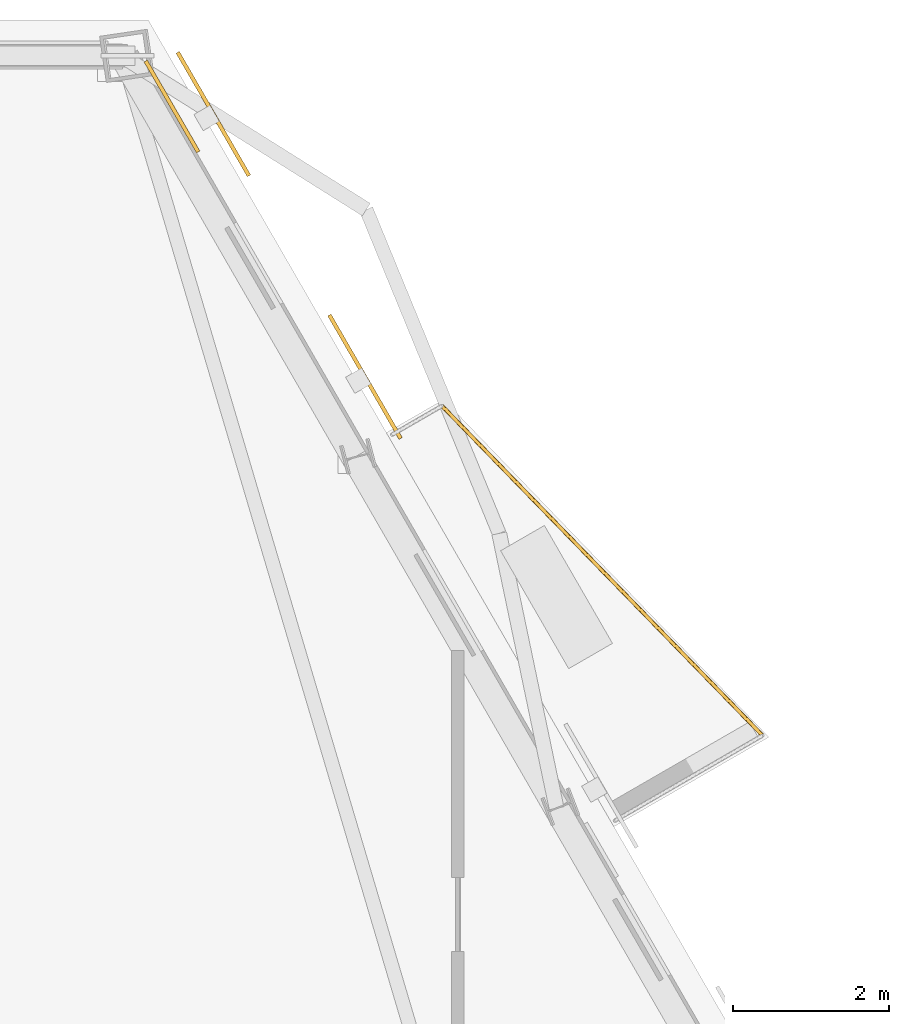
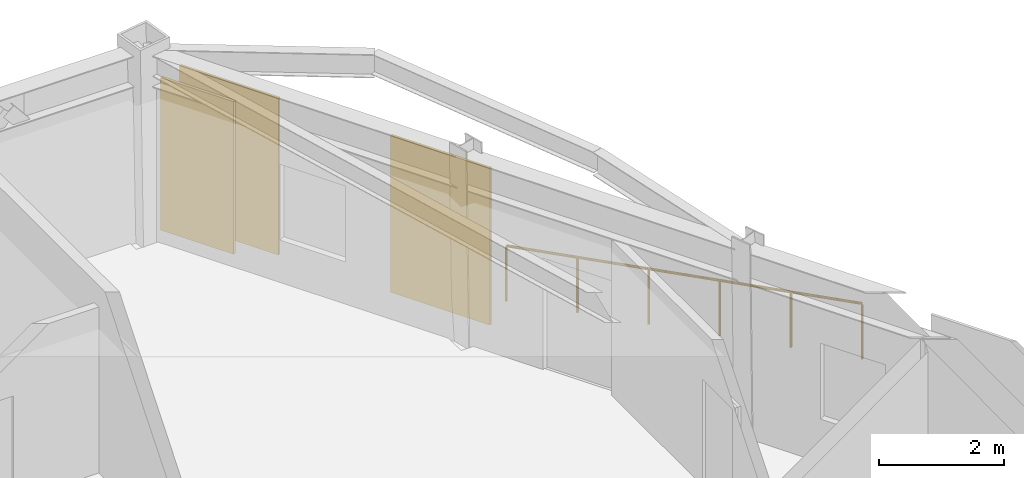
# One storey, part 9 of 9: 2 shading devices, 1 covering, 1 railing.
"""IFC4 building model written with IfcOpenShell, lengths in metres."""

from ifc_helpers import new_model, si_unit, direction, frame, origin, origin_2d, place, context, subcontext, project, spatial, rectangle, circle, extrude, material, layer, layer_set, type_object, element, save


model = new_model("IFC4")

# Units and contexts
model_context = context("Model", 3, precision=1e-05, world=origin(), true_north=direction((0.0, 1.0)))
body_context = subcontext(model_context, "Body", "Model", "MODEL_VIEW")
ifc_project = project(units=[si_unit("LENGTHUNIT", "METRE"), si_unit("AREAUNIT", "SQUARE_METRE"), si_unit("VOLUMEUNIT", "CUBIC_METRE"), si_unit("PLANEANGLEUNIT", "RADIAN"), si_unit("MASSUNIT", "GRAM", prefix="KILO")], contexts=[model_context])

# Site, building, storey
site_placement = place(None, origin())
site = spatial("IfcSite", under=ifc_project, at=site_placement, CompositionType="ELEMENT")
building_placement = place(site_placement, origin())
building = spatial("IfcBuilding", under=site, at=building_placement, Name="Oramaril Tower", CompositionType="ELEMENT")
storey_placement = place(building_placement, frame((0.0, 0.0, 257.699951171875)))
storey = spatial("IfcBuildingStorey", under=building, at=storey_placement, Name="L68", CompositionType="ELEMENT", Elevation=257.699951171875)

# Covering
ifc_material_1 = material(Name="Warm Cream Limestone", Category="masonry")
ifc_layer = layer(ifc_material_1, 0.050048828125)
ifc_layer_set = layer_set([ifc_layer], Name="CVT-CLD")
covering_type = type_object("IfcCoveringType", Name="CVT-CLD", PredefinedType="CLADDING", material=ifc_layer_set)
covering_placement = place(storey_placement, frame((40.687255859375, 42.408203125, 0.0400390625), z_axis=(0.0, 0.0, 1.0), x_axis=(-0.5, 0.866025403784, 0.0)))
element("IfcCovering", 1, at=covering_placement, inside=storey, type_object=covering_type, Name="L68 Warm Cream Limestone Cladding", PredefinedType="CLADDING", context=body_context, shape_type="SweptSolid", body=[
    extrude(rectangle(XDim=1.35009765625, YDim=0.050048828125, at=origin_2d()), origin(), (0.0, 0.0, 1.0), 2.97802734375),
])

# Railing
ifc_material_2 = material(Name="Stainless Steel 316L", Category="steel")
railing_type = type_object("IfcRailingType", Name="RLT-GRD", PredefinedType="GUARDRAIL", material=ifc_material_2)
railing_placement = place(storey_placement, frame((44.158935546875, 38.558837890625, 0.0)))
element("IfcRailing", 2, at=railing_placement, inside=storey, type_object=railing_type, Name="L68 Balcony Guardrail L68-BAL-NE2.2", PredefinedType="GUARDRAIL", context=body_context, shape_type="SweptSolid", body=[
    extrude(circle(Radius=0.02392578125, at=origin_2d()), frame((0.0, 0.0, 1.076171875), z_axis=(0.697207560153, -0.716869317285, 0.0), x_axis=(0.716869317285, 0.697207560153, 0.0)), (0.0, 0.0, 1.0), 5.910400390625),
    extrude(circle(Radius=0.02099609375, at=origin_2d()), origin(), (0.0, 0.0, 1.0), 1.052001953125),
    extrude(circle(Radius=0.02099609375, at=origin_2d()), frame((0.82421875, -0.847412109375, 0.0)), (0.0, 0.0, 1.0), 1.052001953125),
    extrude(circle(Radius=0.02099609375, at=origin_2d()), frame((1.6484375, -1.69482421875, 0.0)), (0.0, 0.0, 1.0), 1.052001953125),
    extrude(circle(Radius=0.02099609375, at=origin_2d()), frame((2.472412109375, -2.542236328125, 0.0)), (0.0, 0.0, 1.0), 1.052001953125),
    extrude(circle(Radius=0.02099609375, at=origin_2d()), frame((3.296630859375, -3.3896484375, 0.0)), (0.0, 0.0, 1.0), 1.052001953125),
    extrude(circle(Radius=0.02099609375, at=origin_2d()), frame((4.120849609375, -4.237060546875, 0.0)), (0.0, 0.0, 1.0), 1.052001953125),
])

# Shading devices
for number, where, z_axis, x_axis, name in (
    (3, (43.169189453125, 38.933349609375, -0.02001953125), (0.0, 0.0, 1.0), (-0.5, 0.866025403784, 0.0), "L68 Perforated Ceramic Solar Screen"),
    (4, (41.21923828125, 42.310791015625, -0.02001953125), (0.0, 0.0, 1.0), (-0.5, 0.866025403784, 0.0), "L68 Perforated Ceramic Solar Screen"),
):
    element("IfcShadingDevice", number, at=place(storey_placement, frame(where, z_axis=z_axis, x_axis=x_axis)), inside=storey, Name=name, ObjectType="SCREEN", PredefinedType="USERDEFINED", context=body_context, shape_type="SweptSolid", body=[
        extrude(rectangle(XDim=1.8330078125, YDim=0.050048828125, at=origin_2d()), origin(), (0.0, 0.0, 1.0), 3.05810546875),
    ])

save(model, "model.ifc")
